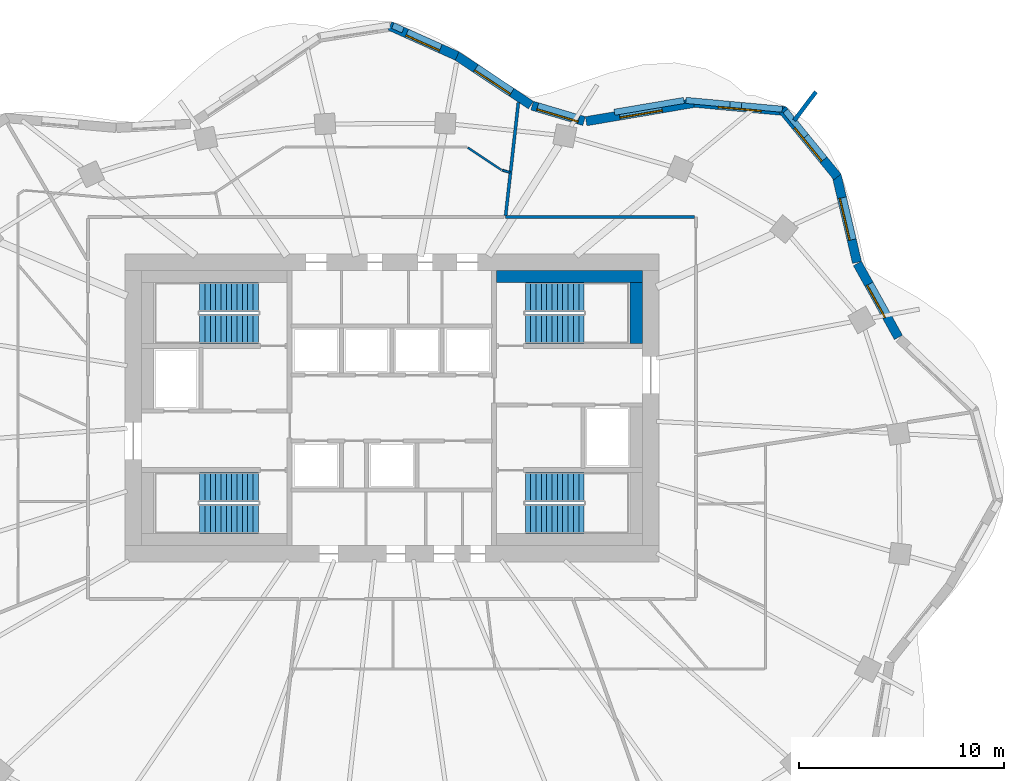
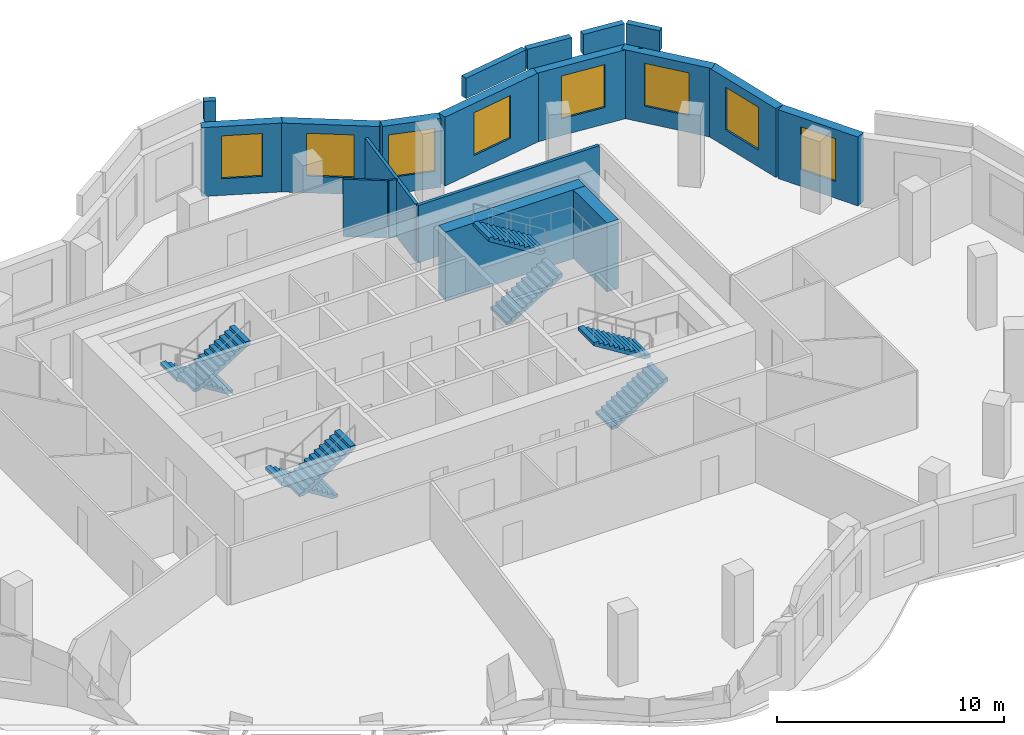
# One storey, part 8 of 9: 20 walls, 8 stair flights, 8 windows, 8 openings, 4 elements without a shape of their own.
"""IFC4 building model written with IfcOpenShell, lengths in metres."""

from ifc_helpers import new_model, si_unit, direction, frame, frame_2d, origin, place, context, subcontext, project, spatial, polyline, rectangle, outline, extrude, material, layer, layer_set, type_object, element, fill, aggregate, save


model = new_model("IFC4")

# Units and contexts
model_context = context("Model", 3, precision=1e-05, world=origin(), true_north=direction((0.0, 1.0)))
body_context = subcontext(model_context, "Body", "Model", "MODEL_VIEW")
ifc_project = project(units=[si_unit("LENGTHUNIT", "METRE"), si_unit("AREAUNIT", "SQUARE_METRE"), si_unit("VOLUMEUNIT", "CUBIC_METRE"), si_unit("PLANEANGLEUNIT", "RADIAN"), si_unit("MASSUNIT", "GRAM", prefix="KILO")], contexts=[model_context])

# Site, building, storey
site_placement = place(None, origin())
site = spatial("IfcSite", under=ifc_project, at=site_placement, CompositionType="ELEMENT")
building_placement = place(site_placement, origin())
building = spatial("IfcBuilding", under=site, at=building_placement, Name="Rubra Terraces Tower", CompositionType="ELEMENT")
storey_placement = place(building_placement, frame((0.0, 0.0, 248.699951171875)))
storey = spatial("IfcBuildingStorey", under=building, at=storey_placement, Name="L61", CompositionType="ELEMENT", Elevation=248.699951171875)

# Wall, opening, window
ifc_material_1 = material(Name="Brick masonry red-brown", Category="masonry")
ifc_layer_1 = layer(ifc_material_1, 0.449951171875)
ifc_layer_set_1 = layer_set([ifc_layer_1], Name="Brick masonry red-brown")
wall_type_1 = type_object("IfcWallType", Name="Brick facade wall 450", PredefinedType="SOLIDWALL", material=ifc_layer_set_1)
wall_1_placement = place(storey_placement, frame((24.662109375, 7.93896484375, 0.0), z_axis=(0.0, 0.0, 1.0), x_axis=(-0.485153910721, 0.874428775208, 0.0)))
wall_1 = element("IfcWall", 1, at=wall_1_placement, inside=storey, type_object=wall_type_1, Name="Facade wall L61 bay 3", PredefinedType="SOLIDWALL", context=body_context, shape_type="SweptSolid", body=[
    extrude(rectangle(XDim=4.1123046875, YDim=0.449951171875, at=frame_2d((2.05615234375, 0.0))), origin(), (0.0, 0.0, 1.0), 3.699951171875),
])
opening_1_placement = place(wall_1_placement, frame((1.15625, 0.0, 0.89990234375)))
opening_1 = element("IfcOpeningElement", 2, at=opening_1_placement, cuts=wall_1, Name="Opening W6B", PredefinedType="OPENING", context=body_context, shape_type="SweptSolid", body=[
    extrude(rectangle(XDim=1.800048828125, YDim=2.300048828125, at=frame_2d((0.89990234375, 1.14990234375))), frame((0.0, 0.23486328125, 0.0), z_axis=(0.0, -1.0, 0.0), x_axis=(1.0, 0.0, 0.0)), (0.0, 0.0, 1.0), 0.469970703125),
])
ifc_material_2 = material(Name="Clear glass in aluminium frame", Category="aluminium")
window_type_1 = type_object("IfcWindowType", Name="Fixed deep-set window at wind fin tall storey 1800 x 2300", PartitioningType="SINGLE_PANEL", PredefinedType="WINDOW", material=ifc_material_2)
window_1_placement = place(opening_1_placement, origin())
window_1 = element("IfcWindow", 3, at=window_1_placement, inside=storey, type_object=window_type_1, Name="Window L61 bay 3", OverallHeight=2.300048828125, OverallWidth=1.800048828125, PartitioningType="SINGLE_PANEL", PredefinedType="WINDOW", context=body_context, shape_type="SweptSolid", body=[
    extrude(rectangle(XDim=1.800048828125, YDim=2.300048828125, at=frame_2d((0.89990234375, 1.14990234375))), frame((0.0, 0.135009765625, 0.0), z_axis=(0.0, -1.0, 0.0), x_axis=(1.0, 0.0, 0.0)), (0.0, 0.0, 1.0), 0.06005859375),
])
fill(opening_1, window_1)

wall_2_placement = place(storey_placement, frame((22.646484375, 11.5859375, 0.0), z_axis=(0.0, 0.0, 1.0), x_axis=(-0.227925124198, 0.973678662475, 0.0)))
wall_2 = element("IfcWall", 4, at=wall_2_placement, inside=storey, type_object=wall_type_1, Name="Facade wall L61 bay 4", PredefinedType="SOLIDWALL", context=body_context, shape_type="SweptSolid", body=[
    extrude(rectangle(XDim=4.360595703125, YDim=0.449951171875, at=frame_2d((2.18017578125, 0.0))), origin(), (0.0, 0.0, 1.0), 3.699951171875),
])
opening_2_placement = place(wall_2_placement, frame((1.13037109375, 0.0, 0.89990234375)))
opening_2 = element("IfcOpeningElement", 5, at=opening_2_placement, cuts=wall_2, Name="Opening W1B", PredefinedType="OPENING", context=body_context, shape_type="SweptSolid", body=[
    extrude(rectangle(XDim=2.10009765625, YDim=2.300048828125, at=frame_2d((1.050048828125, 1.14990234375))), frame((0.0, 0.23486328125, 0.0), z_axis=(0.0, -1.0, 0.0), x_axis=(1.0, 0.0, 0.0)), (0.0, 0.0, 1.0), 0.469970703125),
])
window_type_2 = type_object("IfcWindowType", Name="Fixed deep-set window tall storey 2100 x 2300", PartitioningType="SINGLE_PANEL", PredefinedType="WINDOW", material=ifc_material_2)
window_2_placement = place(opening_2_placement, origin())
window_2 = element("IfcWindow", 6, at=window_2_placement, inside=storey, type_object=window_type_2, Name="Window L61 bay 4", OverallHeight=2.300048828125, OverallWidth=2.10009765625, PartitioningType="SINGLE_PANEL", PredefinedType="WINDOW", context=body_context, shape_type="SweptSolid", body=[
    extrude(rectangle(XDim=2.10009765625, YDim=2.300048828125, at=frame_2d((1.050048828125, 1.14990234375))), frame((0.0, 0.135009765625, 0.0), z_axis=(0.0, -1.0, 0.0), x_axis=(1.0, 0.0, 0.0)), (0.0, 0.0, 1.0), 0.06005859375),
])
fill(opening_2, window_2)

wall_3_placement = place(storey_placement, frame((21.69580078125, 15.74755859375, 0.0), z_axis=(0.0, 0.0, 1.0), x_axis=(-0.632968710519, 0.774177377288, 0.0)))
wall_3 = element("IfcWall", 7, at=wall_3_placement, inside=storey, type_object=wall_type_1, Name="Facade wall L61 bay 5", PredefinedType="SOLIDWALL", context=body_context, shape_type="SweptSolid", body=[
    extrude(rectangle(XDim=4.249755859375, YDim=0.449951171875, at=frame_2d((2.125, 0.0))), origin(), (0.0, 0.0, 1.0), 3.699951171875),
])
opening_3_placement = place(wall_3_placement, frame((1.074951171875, 0.0, 0.89990234375)))
opening_3 = element("IfcOpeningElement", 8, at=opening_3_placement, cuts=wall_3, Name="Opening W1B", PredefinedType="OPENING", context=body_context, shape_type="SweptSolid", body=[
    extrude(rectangle(XDim=2.10009765625, YDim=2.300048828125, at=frame_2d((1.050048828125, 1.14990234375))), frame((0.0, 0.23486328125, 0.0), z_axis=(0.0, -1.0, 0.0), x_axis=(1.0, 0.0, 0.0)), (0.0, 0.0, 1.0), 0.469970703125),
])
window_3_placement = place(opening_3_placement, origin())
window_3 = element("IfcWindow", 9, at=window_3_placement, inside=storey, type_object=window_type_2, Name="Window L61 bay 5", OverallHeight=2.300048828125, OverallWidth=2.10009765625, PartitioningType="SINGLE_PANEL", PredefinedType="WINDOW", context=body_context, shape_type="SweptSolid", body=[
    extrude(rectangle(XDim=2.10009765625, YDim=2.300048828125, at=frame_2d((1.050048828125, 1.14990234375))), frame((0.0, 0.135009765625, 0.0), z_axis=(0.0, -1.0, 0.0), x_axis=(1.0, 0.0, 0.0)), (0.0, 0.0, 1.0), 0.06005859375),
])
fill(opening_3, window_3)

wall_4_placement = place(storey_placement, frame((19.1591796875, 18.955810546875, 0.0), z_axis=(0.0, 0.0, 1.0), x_axis=(-0.995777399421, 0.091800712424, 0.0)))
wall_4 = element("IfcWall", 10, at=wall_4_placement, inside=storey, type_object=wall_type_1, Name="Facade wall L61 bay 6", PredefinedType="SOLIDWALL", context=body_context, shape_type="SweptSolid", body=[
    extrude(rectangle(XDim=4.45458984375, YDim=0.449951171875, at=frame_2d((2.227294921875, 0.0))), origin(), (0.0, 0.0, 1.0), 3.699951171875),
])
opening_4_placement = place(wall_4_placement, frame((1.177490234375, 0.0, 0.89990234375)))
opening_4 = element("IfcOpeningElement", 11, at=opening_4_placement, cuts=wall_4, Name="Opening W1B", PredefinedType="OPENING", context=body_context, shape_type="SweptSolid", body=[
    extrude(rectangle(XDim=2.10009765625, YDim=2.300048828125, at=frame_2d((1.050048828125, 1.14990234375))), frame((0.0, 0.23486328125, 0.0), z_axis=(0.0, -1.0, 0.0), x_axis=(1.0, 0.0, 0.0)), (0.0, 0.0, 1.0), 0.469970703125),
])
window_4_placement = place(opening_4_placement, origin())
window_4 = element("IfcWindow", 12, at=window_4_placement, inside=storey, type_object=window_type_2, Name="Window L61 bay 6", OverallHeight=2.300048828125, OverallWidth=2.10009765625, PartitioningType="SINGLE_PANEL", PredefinedType="WINDOW", context=body_context, shape_type="SweptSolid", body=[
    extrude(rectangle(XDim=2.10009765625, YDim=2.300048828125, at=frame_2d((1.050048828125, 1.14990234375))), frame((0.0, 0.135009765625, 0.0), z_axis=(0.0, -1.0, 0.0), x_axis=(1.0, 0.0, 0.0)), (0.0, 0.0, 1.0), 0.06005859375),
])
fill(opening_4, window_4)

wall_5_placement = place(storey_placement, frame((14.78173828125, 19.366943359375, 0.0), z_axis=(0.0, 0.0, 1.0), x_axis=(-0.98585584667, -0.167595493934, 0.0)))
wall_5 = element("IfcWall", 13, at=wall_5_placement, inside=storey, type_object=wall_type_1, Name="Facade wall L61 bay 7", PredefinedType="SOLIDWALL", context=body_context, shape_type="SweptSolid", body=[
    extrude(rectangle(XDim=5.398681640625, YDim=0.449951171875, at=frame_2d((2.69921875, 0.0))), origin(), (0.0, 0.0, 1.0), 3.699951171875),
])
opening_5_placement = place(wall_5_placement, frame((1.6494140625, 0.0, 0.89990234375)))
opening_5 = element("IfcOpeningElement", 14, at=opening_5_placement, cuts=wall_5, Name="Opening W1B", PredefinedType="OPENING", context=body_context, shape_type="SweptSolid", body=[
    extrude(rectangle(XDim=2.10009765625, YDim=2.300048828125, at=frame_2d((1.050048828125, 1.14990234375))), frame((0.0, 0.23486328125, 0.0), z_axis=(0.0, -1.0, 0.0), x_axis=(1.0, 0.0, 0.0)), (0.0, 0.0, 1.0), 0.469970703125),
])
window_5_placement = place(opening_5_placement, origin())
window_5 = element("IfcWindow", 15, at=window_5_placement, inside=storey, type_object=window_type_2, Name="Window L61 bay 7", OverallHeight=2.300048828125, OverallWidth=2.10009765625, PartitioningType="SINGLE_PANEL", PredefinedType="WINDOW", context=body_context, shape_type="SweptSolid", body=[
    extrude(rectangle(XDim=2.10009765625, YDim=2.300048828125, at=frame_2d((1.050048828125, 1.14990234375))), frame((0.0, 0.135009765625, 0.0), z_axis=(0.0, -1.0, 0.0), x_axis=(1.0, 0.0, 0.0)), (0.0, 0.0, 1.0), 0.06005859375),
])
fill(opening_5, window_5)

wall_6_placement = place(storey_placement, frame((9.357421875, 18.468505859375, 0.0), z_axis=(0.0, 0.0, 1.0), x_axis=(-0.958524054629, 0.285011643091, 0.0)))
wall_6 = element("IfcWall", 16, at=wall_6_placement, inside=storey, type_object=wall_type_1, Name="Facade wall L61 bay 8", PredefinedType="SOLIDWALL", context=body_context, shape_type="SweptSolid", body=[
    extrude(rectangle(XDim=2.637451171875, YDim=0.449951171875, at=frame_2d((1.31884765625, 0.0))), origin(), (0.0, 0.0, 1.0), 3.699951171875),
])
opening_6_placement = place(wall_6_placement, frame((0.268798828125, 0.0, 0.89990234375)))
opening_6 = element("IfcOpeningElement", 17, at=opening_6_placement, cuts=wall_6, Name="Opening W1B", PredefinedType="OPENING", context=body_context, shape_type="SweptSolid", body=[
    extrude(rectangle(XDim=2.10009765625, YDim=2.300048828125, at=frame_2d((1.050048828125, 1.14990234375))), frame((0.0, 0.23486328125, 0.0), z_axis=(0.0, -1.0, 0.0), x_axis=(1.0, 0.0, 0.0)), (0.0, 0.0, 1.0), 0.469970703125),
])
window_6_placement = place(opening_6_placement, origin())
window_6 = element("IfcWindow", 18, at=window_6_placement, inside=storey, type_object=window_type_2, Name="Window L61 bay 8", OverallHeight=2.300048828125, OverallWidth=2.10009765625, PartitioningType="SINGLE_PANEL", PredefinedType="WINDOW", context=body_context, shape_type="SweptSolid", body=[
    extrude(rectangle(XDim=2.10009765625, YDim=2.300048828125, at=frame_2d((1.050048828125, 1.14990234375))), frame((0.0, 0.135009765625, 0.0), z_axis=(0.0, -1.0, 0.0), x_axis=(1.0, 0.0, 0.0)), (0.0, 0.0, 1.0), 0.06005859375),
])
fill(opening_6, window_6)

wall_7_placement = place(storey_placement, frame((6.76904296875, 19.248291015625, 0.0), z_axis=(0.0, 0.0, 1.0), x_axis=(-0.832973379274, 0.553313066375, 0.0)))
wall_7 = element("IfcWall", 19, at=wall_7_placement, inside=storey, type_object=wall_type_1, Name="Facade wall L61 bay 9", PredefinedType="SOLIDWALL", context=body_context, shape_type="SweptSolid", body=[
    extrude(rectangle(XDim=4.348388671875, YDim=0.449951171875, at=frame_2d((2.17431640625, 0.0))), origin(), (0.0, 0.0, 1.0), 3.699951171875),
])
opening_7_placement = place(wall_7_placement, frame((1.1240234375, 0.0, 0.89990234375)))
opening_7 = element("IfcOpeningElement", 20, at=opening_7_placement, cuts=wall_7, Name="Opening W1B", PredefinedType="OPENING", context=body_context, shape_type="SweptSolid", body=[
    extrude(rectangle(XDim=2.10009765625, YDim=2.300048828125, at=frame_2d((1.050048828125, 1.14990234375))), frame((0.0, 0.23486328125, 0.0), z_axis=(0.0, -1.0, 0.0), x_axis=(1.0, 0.0, 0.0)), (0.0, 0.0, 1.0), 0.469970703125),
])
window_7_placement = place(opening_7_placement, origin())
window_7 = element("IfcWindow", 21, at=window_7_placement, inside=storey, type_object=window_type_2, Name="Window L61 bay 9", OverallHeight=2.300048828125, OverallWidth=2.10009765625, PartitioningType="SINGLE_PANEL", PredefinedType="WINDOW", context=body_context, shape_type="SweptSolid", body=[
    extrude(rectangle(XDim=2.10009765625, YDim=2.300048828125, at=frame_2d((1.050048828125, 1.14990234375))), frame((0.0, 0.135009765625, 0.0), z_axis=(0.0, -1.0, 0.0), x_axis=(1.0, 0.0, 0.0)), (0.0, 0.0, 1.0), 0.06005859375),
])
fill(opening_7, window_7)

wall_8_placement = place(storey_placement, frame((3.179443359375, 21.63623046875, 0.0), z_axis=(0.0, 0.0, 1.0), x_axis=(-0.912608353595, 0.40883492139, 0.0)))
wall_8 = element("IfcWall", 22, at=wall_8_placement, inside=storey, type_object=wall_type_1, Name="Facade wall L61 bay 10", PredefinedType="SOLIDWALL", context=body_context, shape_type="SweptSolid", body=[
    extrude(rectangle(XDim=3.584716796875, YDim=0.449951171875, at=frame_2d((1.79248046875, 0.0))), origin(), (0.0, 0.0, 1.0), 3.699951171875),
])
opening_8_placement = place(wall_8_placement, frame((0.892333984375, 0.0, 0.89990234375)))
opening_8 = element("IfcOpeningElement", 23, at=opening_8_placement, cuts=wall_8, Name="Opening W6B", PredefinedType="OPENING", context=body_context, shape_type="SweptSolid", body=[
    extrude(rectangle(XDim=1.800048828125, YDim=2.300048828125, at=frame_2d((0.89990234375, 1.14990234375))), frame((0.0, 0.23486328125, 0.0), z_axis=(0.0, -1.0, 0.0), x_axis=(1.0, 0.0, 0.0)), (0.0, 0.0, 1.0), 0.469970703125),
])
window_8_placement = place(opening_8_placement, origin())
window_8 = element("IfcWindow", 24, at=window_8_placement, inside=storey, type_object=window_type_1, Name="Window L61 bay 10", OverallHeight=2.300048828125, OverallWidth=1.800048828125, PartitioningType="SINGLE_PANEL", PredefinedType="WINDOW", context=body_context, shape_type="SweptSolid", body=[
    extrude(rectangle(XDim=1.800048828125, YDim=2.300048828125, at=frame_2d((0.89990234375, 1.14990234375))), frame((0.0, 0.135009765625, 0.0), z_axis=(0.0, -1.0, 0.0), x_axis=(1.0, 0.0, 0.0)), (0.0, 0.0, 1.0), 0.06005859375),
])
fill(opening_8, window_8)

# Walls
ifc_layer_2 = layer(ifc_material_1, 0.300048828125)
ifc_layer_set_2 = layer_set([ifc_layer_2], Name="Brick masonry red-brown")
wall_type_2 = type_object("IfcWallType", Name="Brick parapet 300", PredefinedType="PARAPET", material=ifc_layer_set_2)
wall_9_placement = place(storey_placement, frame((20.16845703125, 17.734130859375, 3.900146484375), z_axis=(0.0, 0.0, 1.0), x_axis=(-0.632995189145, 0.774155727564, 0.0)))
element("IfcWall", 25, at=wall_9_placement, inside=storey, type_object=wall_type_2, Name="Parapet L61 bay 5", PredefinedType="PARAPET", context=body_context, shape_type="SweptSolid", body=[
    extrude(rectangle(XDim=1.58935546875, YDim=0.300048828125, at=frame_2d((0.794677734375, 0.0))), origin(), (0.0, 0.0, 1.0), 1.099853515625),
])
wall_10_placement = place(storey_placement, frame((19.01123046875, 19.044921875, 3.900146484375), z_axis=(0.0, 0.0, 1.0), x_axis=(-0.995779953678, 0.09177300176, 0.0)))
element("IfcWall", 26, at=wall_10_placement, inside=storey, type_object=wall_type_2, Name="Parapet L61 bay 6", PredefinedType="PARAPET", context=body_context, shape_type="SweptSolid", body=[
    extrude(rectangle(XDim=1.992431640625, YDim=0.300048828125, at=frame_2d((0.99609375, 0.0))), origin(), (0.0, 0.0, 1.0), 1.099853515625),
])
wall_11_placement = place(storey_placement, frame((16.461669921875, 19.27978515625, 3.900146484375), z_axis=(0.0, 0.0, 1.0), x_axis=(-0.995778015376, 0.091794030816, 0.0)))
element("IfcWall", 27, at=wall_11_placement, inside=storey, type_object=wall_type_2, Name="Parapet L61 bay 6.2", PredefinedType="PARAPET", context=body_context, shape_type="SweptSolid", body=[
    extrude(rectangle(XDim=2.151611328125, YDim=0.300048828125, at=frame_2d((1.07568359375, 0.0))), origin(), (0.0, 0.0, 1.0), 1.099853515625),
])
wall_12_placement = place(storey_placement, frame((14.220947265625, 19.473388671875, 3.900146484375), z_axis=(0.0, 0.0, 1.0), x_axis=(-0.985864880964, -0.167542342353, 0.0)))
element("IfcWall", 28, at=wall_12_placement, inside=storey, type_object=wall_type_2, Name="Parapet L61 bay 7", PredefinedType="PARAPET", context=body_context, shape_type="SweptSolid", body=[
    extrude(rectangle(XDim=3.4375, YDim=0.300048828125, at=frame_2d((1.71875, 0.0))), origin(), (0.0, 0.0, 1.0), 1.099853515625),
])
wall_13_placement = place(storey_placement, frame((0.54541015625, 22.898193359375, 3.900146484375), z_axis=(0.0, 0.0, 1.0), x_axis=(-0.912497815069, 0.409081578044, 0.0)))
element("IfcWall", 29, at=wall_13_placement, inside=storey, type_object=wall_type_2, Name="Parapet L61 bay 10", PredefinedType="PARAPET", context=body_context, shape_type="SweptSolid", body=[
    extrude(rectangle(XDim=0.546142578125, YDim=0.300048828125, at=frame_2d((0.27294921875, 0.0))), origin(), (0.0, 0.0, 1.0), 1.099853515625),
])
ifc_layer_3 = layer(ifc_material_1, 0.199951171875)
ifc_layer_set_3 = layer_set([ifc_layer_3], Name="Brick masonry red-brown")
wall_type_3 = type_object("IfcWallType", Name="Brick wind fin 200", PredefinedType="SOLIDWALL", material=ifc_layer_set_3)
wall_14_placement = place(storey_placement, frame((19.591064453125, 18.498046875, 0.0), z_axis=(0.0, 0.0, 1.0), x_axis=(0.603387525063, 0.797448114048, 0.0)))
element("IfcWall", 30, at=wall_14_placement, inside=storey, type_object=wall_type_3, Name="Wind fin L61 3", PredefinedType="SOLIDWALL", context=body_context, shape_type="SweptSolid", body=[
    extrude(rectangle(XDim=1.75, YDim=0.199951171875, at=frame_2d((0.875, 0.0))), origin(), (0.0, 0.0, 1.0), 3.699951171875),
])
ifc_material_3 = material(Name="Plasterboard on steel stud, mineral wool infill", Category="steel")
ifc_layer_4 = layer(ifc_material_3, 0.14990234375)
ifc_layer_set_4 = layer_set([ifc_layer_4], Name="Plasterboard on steel stud, mineral wool infill")
wall_type_4 = type_object("IfcWallType", Name="CORRIDOR PARTITION 150", PredefinedType="PARTITIONING", material=ifc_layer_set_4)
wall_15_placement = place(storey_placement, frame((14.72509765625, 13.800048828125, 0.0), z_axis=(0.0, 0.0, 1.0), x_axis=(-1.0, 0.0, 0.0)))
element("IfcWall", 31, at=wall_15_placement, inside=storey, type_object=wall_type_4, Name="PARTITION", PredefinedType="PARTITIONING", context=body_context, shape_type="SweptSolid", body=[
    extrude(rectangle(XDim=9.1923828125, YDim=0.14990234375, at=frame_2d((4.59619140625, 0.0))), origin(), (0.0, 0.0, 1.0), 3.083984375),
])
ifc_material_4 = material(Name="Concrete C40", Category="concrete")
ifc_layer_5 = layer(ifc_material_4, 0.60009765625)
ifc_layer_set_5 = layer_set([ifc_layer_5], Name="Concrete C40")
wall_type_5 = type_object("IfcWallType", Name="Core lining wall 600 concrete", PredefinedType="SOLIDWALL", material=ifc_layer_set_5)
wall_16_placement = place(storey_placement, frame((12.199951171875, 10.89990234375, 0.0), z_axis=(0.0, 0.0, 1.0), x_axis=(-1.0, 0.0, 0.0)))
element("IfcWall", 32, at=wall_16_placement, inside=storey, type_object=wall_type_5, Name="CORE LINING WALL L61", PredefinedType="SOLIDWALL", context=body_context, shape_type="SweptSolid", body=[
    extrude(rectangle(XDim=7.099853515625, YDim=0.60009765625, at=frame_2d((3.5498046875, 0.0))), origin(), (0.0, 0.0, 1.0), 3.699951171875),
])
wall_17_placement = place(storey_placement, frame((11.89990234375, 10.60009765625, 0.0), z_axis=(0.0, 0.0, 1.0), x_axis=(0.0, -1.0, 0.0)))
element("IfcWall", 33, at=wall_17_placement, inside=storey, type_object=wall_type_5, Name="CORE LINING WALL L61", PredefinedType="SOLIDWALL", context=body_context, shape_type="SweptSolid", body=[
    extrude(rectangle(XDim=2.9501953125, YDim=0.60009765625, at=frame_2d((1.47509765625, 0.0))), origin(), (0.0, 0.0, 1.0), 3.699951171875),
])
ifc_material_5 = material(Name="Plasterboard on steel stud", Category="steel")
ifc_layer_6 = layer(ifc_material_5, 0.10009765625)
ifc_layer_set_6 = layer_set([ifc_layer_6], Name="Plasterboard on steel stud")
wall_type_6 = type_object("IfcWallType", Name="ROOM PARTITION 100", PredefinedType="PARTITIONING", material=ifc_layer_set_6)
wall_18_placement = place(storey_placement, frame((3.704345703125, 17.17236328125, 0.0), z_axis=(0.0, 0.0, 1.0), x_axis=(0.832954205631, -0.553341929842, 0.0)))
element("IfcWall", 34, at=wall_18_placement, inside=storey, type_object=wall_type_6, Name="PARTITION", PredefinedType="PARTITIONING", context=body_context, shape_type="SweptSolid", body=[
    extrude(rectangle(XDim=1.95068359375, YDim=0.10009765625, at=frame_2d((0.975341796875, 0.0))), origin(), (0.0, 0.0, 1.0), 3.083984375),
])
wall_19_placement = place(storey_placement, frame((5.377197265625, 16.078857421875, 0.0), z_axis=(0.0, 0.0, 1.0), x_axis=(0.958536356279, -0.284970268083, 0.0)))
element("IfcWall", 35, at=wall_19_placement, inside=storey, type_object=wall_type_6, Name="PARTITION", PredefinedType="PARTITIONING", context=body_context, shape_type="SweptSolid", body=[
    extrude(rectangle(XDim=0.395751953125, YDim=0.10009765625, at=frame_2d((0.19775390625, 0.0))), origin(), (0.0, 0.0, 1.0), 3.083984375),
])
ifc_layer_7 = layer(ifc_material_5, 0.14990234375)
ifc_layer_set_7 = layer_set([ifc_layer_7], Name="Plasterboard on steel stud")
wall_type_7 = type_object("IfcWallType", Name="ROOM PARTITION 150", PredefinedType="PARTITIONING", material=ifc_layer_set_7)
wall_20_placement = place(storey_placement, frame((6.160888671875, 19.37744140625, 0.0), z_axis=(0.0, 0.0, 1.0), x_axis=(-0.11193626313, -0.993715388326, 0.0)))
element("IfcWall", 36, at=wall_20_placement, inside=storey, type_object=wall_type_7, Name="PARTITION", PredefinedType="PARTITIONING", context=body_context, shape_type="SweptSolid", body=[
    extrude(rectangle(XDim=5.537841796875, YDim=0.14990234375, at=frame_2d((2.76904296875, 0.0))), origin(), (0.0, 0.0, 1.0), 3.083984375),
])

# Stair, stair flights
stair_type = type_object("IfcStairType", Name="Core stair 1400", PredefinedType="HALF_TURN_STAIR", material=ifc_material_4)
stair_1_placement = place(storey_placement, origin())
stair_1 = element("IfcStair", 37, at=stair_1_placement, inside=storey, type_object=stair_type, Name="L61 Exit stair S1", PredefinedType="HALF_TURN_STAIR")
stair_flight_type = type_object("IfcStairFlightType", Name="Core stair flight 1400", PredefinedType="STRAIGHT", material=ifc_material_4)
stair_flight_1_placement = place(storey_placement, frame((-6.5, 0.64990234375, 0.0), z_axis=(0.0, 0.0, 1.0), x_axis=(-1.0, 0.0, 0.0)))
stair_flight_1 = element("IfcStairFlight", 38, at=stair_flight_1_placement, type_object=stair_flight_type, Name="S1 flight 1", NumberOfRisers=12, NumberOfTreads=11, PredefinedType="STRAIGHT", RiserHeight=0.1625, TreadLength=0.26, context=body_context, shape_type="SweptSolid", body=[
    extrude(outline(polyline([(0.0, 0.0), (0.0, 0.16259765625), (0.260009765625, 0.16259765625), (0.260009765625, 0.324951171875), (0.52001953125, 0.324951171875), (0.52001953125, 0.487548828125), (0.780029296875, 0.487548828125), (0.780029296875, 0.64990234375), (1.0400390625, 0.64990234375), (1.0400390625, 0.8125), (1.300048828125, 0.8125), (1.300048828125, 0.97509765625), (1.56005859375, 0.97509765625), (1.56005859375, 1.137451171875), (1.820068359375, 1.137451171875), (1.820068359375, 1.300048828125), (2.080078125, 1.300048828125), (2.080078125, 1.46240234375), (2.340087890625, 1.46240234375), (2.340087890625, 1.625), (2.60009765625, 1.625), (2.60009765625, 1.78759765625), (2.860107421875, 1.78759765625), (2.860107421875, 1.949951171875), (2.860107421875, 1.61083984375), (0.28271484375, 0.0), (0.0, 0.0)])), frame((0.0, 0.699951171875, 0.0), z_axis=(0.0, -1.0, 0.0), x_axis=(1.0, 0.0, 0.0)), (0.0, 0.0, 1.0), 1.39990234375),
])
stair_flight_2_placement = place(storey_placement, frame((-9.360107421875, -0.89990234375, 1.949951171875), z_axis=(0.0, 0.0, 1.0), x_axis=(1.0, 0.0, 0.0)))
stair_flight_2 = element("IfcStairFlight", 39, at=stair_flight_2_placement, type_object=stair_flight_type, Name="S1 flight 2", NumberOfRisers=12, NumberOfTreads=11, PredefinedType="STRAIGHT", RiserHeight=0.1625, TreadLength=0.26, context=body_context, shape_type="SweptSolid", body=[
    extrude(outline(polyline([(0.0, 0.0), (0.0, 0.16259765625), (0.260009765625, 0.16259765625), (0.260009765625, 0.324951171875), (0.52001953125, 0.324951171875), (0.52001953125, 0.487548828125), (0.780029296875, 0.487548828125), (0.780029296875, 0.64990234375), (1.0400390625, 0.64990234375), (1.0400390625, 0.8125), (1.300048828125, 0.8125), (1.300048828125, 0.97509765625), (1.56005859375, 0.97509765625), (1.56005859375, 1.137451171875), (1.820068359375, 1.137451171875), (1.820068359375, 1.300048828125), (2.080078125, 1.300048828125), (2.080078125, 1.46240234375), (2.340087890625, 1.46240234375), (2.340087890625, 1.625), (2.60009765625, 1.625), (2.60009765625, 1.78759765625), (2.860107421875, 1.78759765625), (2.860107421875, 1.949951171875), (2.860107421875, 1.61083984375), (0.28271484375, 0.0), (0.0, 0.0)])), frame((0.0, 0.699951171875, 0.0), z_axis=(0.0, -1.0, 0.0), x_axis=(1.0, 0.0, 0.0)), (0.0, 0.0, 1.0), 1.39990234375),
])
aggregate(stair_1, [stair_flight_1, stair_flight_2])

stair_2_placement = place(storey_placement, origin())
stair_2 = element("IfcStair", 40, at=stair_2_placement, inside=storey, type_object=stair_type, Name="L61 Exit stair S2", PredefinedType="HALF_TURN_STAIR")
stair_flight_3_placement = place(storey_placement, frame((-6.5, 9.89990234375, 0.0), z_axis=(0.0, 0.0, 1.0), x_axis=(-1.0, 0.0, 0.0)))
stair_flight_3 = element("IfcStairFlight", 41, at=stair_flight_3_placement, type_object=stair_flight_type, Name="S2 flight 1", NumberOfRisers=12, NumberOfTreads=11, PredefinedType="STRAIGHT", RiserHeight=0.1625, TreadLength=0.26, context=body_context, shape_type="SweptSolid", body=[
    extrude(outline(polyline([(0.0, 0.0), (0.0, 0.16259765625), (0.260009765625, 0.16259765625), (0.260009765625, 0.324951171875), (0.52001953125, 0.324951171875), (0.52001953125, 0.487548828125), (0.780029296875, 0.487548828125), (0.780029296875, 0.64990234375), (1.0400390625, 0.64990234375), (1.0400390625, 0.8125), (1.300048828125, 0.8125), (1.300048828125, 0.97509765625), (1.56005859375, 0.97509765625), (1.56005859375, 1.137451171875), (1.820068359375, 1.137451171875), (1.820068359375, 1.300048828125), (2.080078125, 1.300048828125), (2.080078125, 1.46240234375), (2.340087890625, 1.46240234375), (2.340087890625, 1.625), (2.60009765625, 1.625), (2.60009765625, 1.78759765625), (2.860107421875, 1.78759765625), (2.860107421875, 1.949951171875), (2.860107421875, 1.61083984375), (0.28271484375, 0.0), (0.0, 0.0)])), frame((0.0, 0.699951171875, 0.0), z_axis=(0.0, -1.0, 0.0), x_axis=(1.0, 0.0, 0.0)), (0.0, 0.0, 1.0), 1.39990234375),
])
stair_flight_4_placement = place(storey_placement, frame((-9.360107421875, 8.35009765625, 1.949951171875), z_axis=(0.0, 0.0, 1.0), x_axis=(1.0, 0.0, 0.0)))
stair_flight_4 = element("IfcStairFlight", 42, at=stair_flight_4_placement, type_object=stair_flight_type, Name="S2 flight 2", NumberOfRisers=12, NumberOfTreads=11, PredefinedType="STRAIGHT", RiserHeight=0.1625, TreadLength=0.26, context=body_context, shape_type="SweptSolid", body=[
    extrude(outline(polyline([(0.0, 0.0), (0.0, 0.16259765625), (0.260009765625, 0.16259765625), (0.260009765625, 0.324951171875), (0.52001953125, 0.324951171875), (0.52001953125, 0.487548828125), (0.780029296875, 0.487548828125), (0.780029296875, 0.64990234375), (1.0400390625, 0.64990234375), (1.0400390625, 0.8125), (1.300048828125, 0.8125), (1.300048828125, 0.97509765625), (1.56005859375, 0.97509765625), (1.56005859375, 1.137451171875), (1.820068359375, 1.137451171875), (1.820068359375, 1.300048828125), (2.080078125, 1.300048828125), (2.080078125, 1.46240234375), (2.340087890625, 1.46240234375), (2.340087890625, 1.625), (2.60009765625, 1.625), (2.60009765625, 1.78759765625), (2.860107421875, 1.78759765625), (2.860107421875, 1.949951171875), (2.860107421875, 1.61083984375), (0.28271484375, 0.0), (0.0, 0.0)])), frame((0.0, 0.699951171875, 0.0), z_axis=(0.0, -1.0, 0.0), x_axis=(1.0, 0.0, 0.0)), (0.0, 0.0, 1.0), 1.39990234375),
])
aggregate(stair_2, [stair_flight_3, stair_flight_4])

stair_3_placement = place(storey_placement, origin())
stair_3 = element("IfcStair", 43, at=stair_3_placement, inside=storey, type_object=stair_type, Name="L61 Exit stair S3", PredefinedType="HALF_TURN_STAIR")
stair_flight_5_placement = place(storey_placement, frame((6.5, 8.35009765625, 0.0), z_axis=(0.0, 0.0, 1.0), x_axis=(1.0, 0.0, 0.0)))
stair_flight_5 = element("IfcStairFlight", 44, at=stair_flight_5_placement, type_object=stair_flight_type, Name="S3 flight 1", NumberOfRisers=12, NumberOfTreads=11, PredefinedType="STRAIGHT", RiserHeight=0.1625, TreadLength=0.26, context=body_context, shape_type="SweptSolid", body=[
    extrude(outline(polyline([(0.0, 0.0), (0.0, 0.16259765625), (0.260009765625, 0.16259765625), (0.260009765625, 0.324951171875), (0.52001953125, 0.324951171875), (0.52001953125, 0.487548828125), (0.780029296875, 0.487548828125), (0.780029296875, 0.64990234375), (1.0400390625, 0.64990234375), (1.0400390625, 0.8125), (1.300048828125, 0.8125), (1.300048828125, 0.97509765625), (1.56005859375, 0.97509765625), (1.56005859375, 1.137451171875), (1.820068359375, 1.137451171875), (1.820068359375, 1.300048828125), (2.080078125, 1.300048828125), (2.080078125, 1.46240234375), (2.340087890625, 1.46240234375), (2.340087890625, 1.625), (2.60009765625, 1.625), (2.60009765625, 1.78759765625), (2.860107421875, 1.78759765625), (2.860107421875, 1.949951171875), (2.860107421875, 1.61083984375), (0.28271484375, 0.0), (0.0, 0.0)])), frame((0.0, 0.699951171875, 0.0), z_axis=(0.0, -1.0, 0.0), x_axis=(1.0, 0.0, 0.0)), (0.0, 0.0, 1.0), 1.39990234375),
])
stair_flight_6_placement = place(storey_placement, frame((9.360107421875, 9.89990234375, 1.949951171875), z_axis=(0.0, 0.0, 1.0), x_axis=(-1.0, 0.0, 0.0)))
stair_flight_6 = element("IfcStairFlight", 45, at=stair_flight_6_placement, type_object=stair_flight_type, Name="S3 flight 2", NumberOfRisers=12, NumberOfTreads=11, PredefinedType="STRAIGHT", RiserHeight=0.1625, TreadLength=0.26, context=body_context, shape_type="SweptSolid", body=[
    extrude(outline(polyline([(0.0, 0.0), (0.0, 0.16259765625), (0.260009765625, 0.16259765625), (0.260009765625, 0.324951171875), (0.52001953125, 0.324951171875), (0.52001953125, 0.487548828125), (0.780029296875, 0.487548828125), (0.780029296875, 0.64990234375), (1.0400390625, 0.64990234375), (1.0400390625, 0.8125), (1.300048828125, 0.8125), (1.300048828125, 0.97509765625), (1.56005859375, 0.97509765625), (1.56005859375, 1.137451171875), (1.820068359375, 1.137451171875), (1.820068359375, 1.300048828125), (2.080078125, 1.300048828125), (2.080078125, 1.46240234375), (2.340087890625, 1.46240234375), (2.340087890625, 1.625), (2.60009765625, 1.625), (2.60009765625, 1.78759765625), (2.860107421875, 1.78759765625), (2.860107421875, 1.949951171875), (2.860107421875, 1.61083984375), (0.28271484375, 0.0), (0.0, 0.0)])), frame((0.0, 0.699951171875, 0.0), z_axis=(0.0, -1.0, 0.0), x_axis=(1.0, 0.0, 0.0)), (0.0, 0.0, 1.0), 1.39990234375),
])
aggregate(stair_3, [stair_flight_5, stair_flight_6])

stair_4_placement = place(storey_placement, origin())
stair_4 = element("IfcStair", 46, at=stair_4_placement, inside=storey, type_object=stair_type, Name="L61 Exit stair S4", PredefinedType="HALF_TURN_STAIR")
stair_flight_7_placement = place(storey_placement, frame((6.5, -0.89990234375, 0.0), z_axis=(0.0, 0.0, 1.0), x_axis=(1.0, 0.0, 0.0)))
stair_flight_7 = element("IfcStairFlight", 47, at=stair_flight_7_placement, type_object=stair_flight_type, Name="S4 flight 1", NumberOfRisers=12, NumberOfTreads=11, PredefinedType="STRAIGHT", RiserHeight=0.1625, TreadLength=0.26, context=body_context, shape_type="SweptSolid", body=[
    extrude(outline(polyline([(0.0, 0.0), (0.0, 0.16259765625), (0.260009765625, 0.16259765625), (0.260009765625, 0.324951171875), (0.52001953125, 0.324951171875), (0.52001953125, 0.487548828125), (0.780029296875, 0.487548828125), (0.780029296875, 0.64990234375), (1.0400390625, 0.64990234375), (1.0400390625, 0.8125), (1.300048828125, 0.8125), (1.300048828125, 0.97509765625), (1.56005859375, 0.97509765625), (1.56005859375, 1.137451171875), (1.820068359375, 1.137451171875), (1.820068359375, 1.300048828125), (2.080078125, 1.300048828125), (2.080078125, 1.46240234375), (2.340087890625, 1.46240234375), (2.340087890625, 1.625), (2.60009765625, 1.625), (2.60009765625, 1.78759765625), (2.860107421875, 1.78759765625), (2.860107421875, 1.949951171875), (2.860107421875, 1.61083984375), (0.28271484375, 0.0), (0.0, 0.0)])), frame((0.0, 0.699951171875, 0.0), z_axis=(0.0, -1.0, 0.0), x_axis=(1.0, 0.0, 0.0)), (0.0, 0.0, 1.0), 1.39990234375),
])
stair_flight_8_placement = place(storey_placement, frame((9.360107421875, 0.64990234375, 1.949951171875), z_axis=(0.0, 0.0, 1.0), x_axis=(-1.0, 0.0, 0.0)))
stair_flight_8 = element("IfcStairFlight", 48, at=stair_flight_8_placement, type_object=stair_flight_type, Name="S4 flight 2", NumberOfRisers=12, NumberOfTreads=11, PredefinedType="STRAIGHT", RiserHeight=0.1625, TreadLength=0.26, context=body_context, shape_type="SweptSolid", body=[
    extrude(outline(polyline([(0.0, 0.0), (0.0, 0.16259765625), (0.260009765625, 0.16259765625), (0.260009765625, 0.324951171875), (0.52001953125, 0.324951171875), (0.52001953125, 0.487548828125), (0.780029296875, 0.487548828125), (0.780029296875, 0.64990234375), (1.0400390625, 0.64990234375), (1.0400390625, 0.8125), (1.300048828125, 0.8125), (1.300048828125, 0.97509765625), (1.56005859375, 0.97509765625), (1.56005859375, 1.137451171875), (1.820068359375, 1.137451171875), (1.820068359375, 1.300048828125), (2.080078125, 1.300048828125), (2.080078125, 1.46240234375), (2.340087890625, 1.46240234375), (2.340087890625, 1.625), (2.60009765625, 1.625), (2.60009765625, 1.78759765625), (2.860107421875, 1.78759765625), (2.860107421875, 1.949951171875), (2.860107421875, 1.61083984375), (0.28271484375, 0.0), (0.0, 0.0)])), frame((0.0, 0.699951171875, 0.0), z_axis=(0.0, -1.0, 0.0), x_axis=(1.0, 0.0, 0.0)), (0.0, 0.0, 1.0), 1.39990234375),
])
aggregate(stair_4, [stair_flight_7, stair_flight_8])

save(model, "model.ifc")
